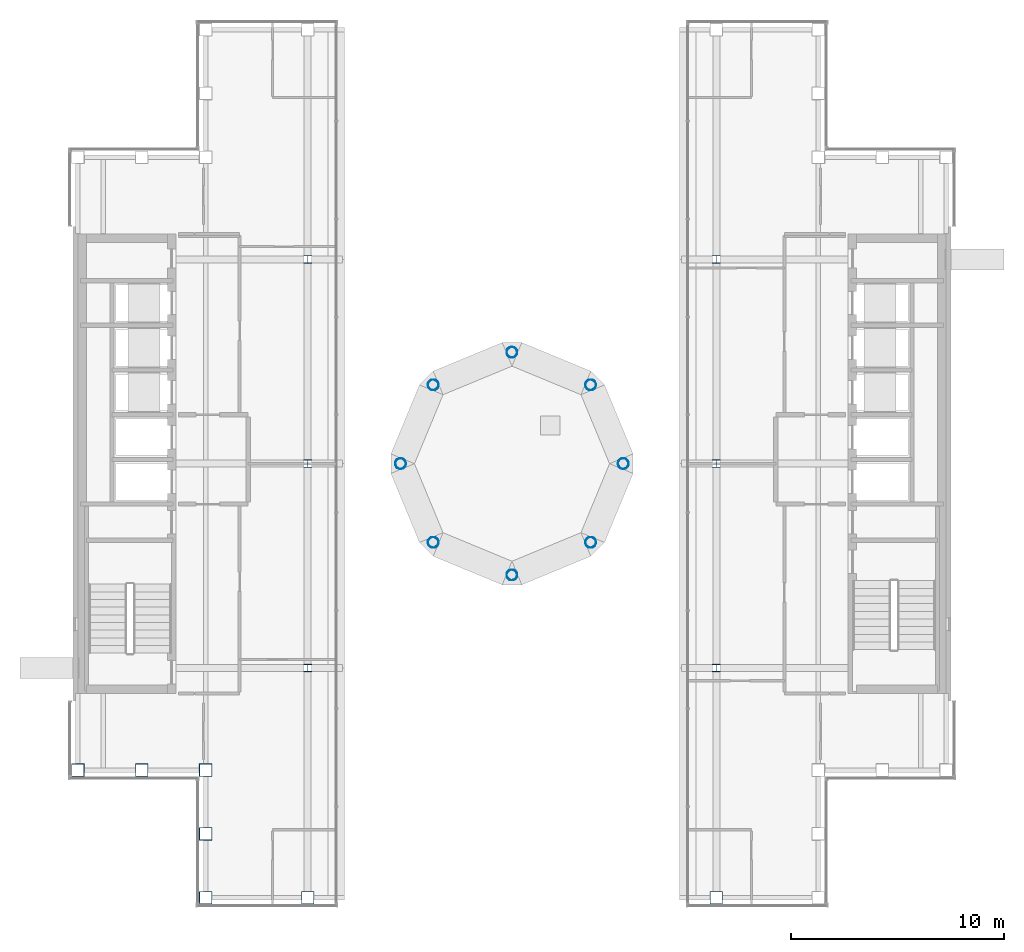
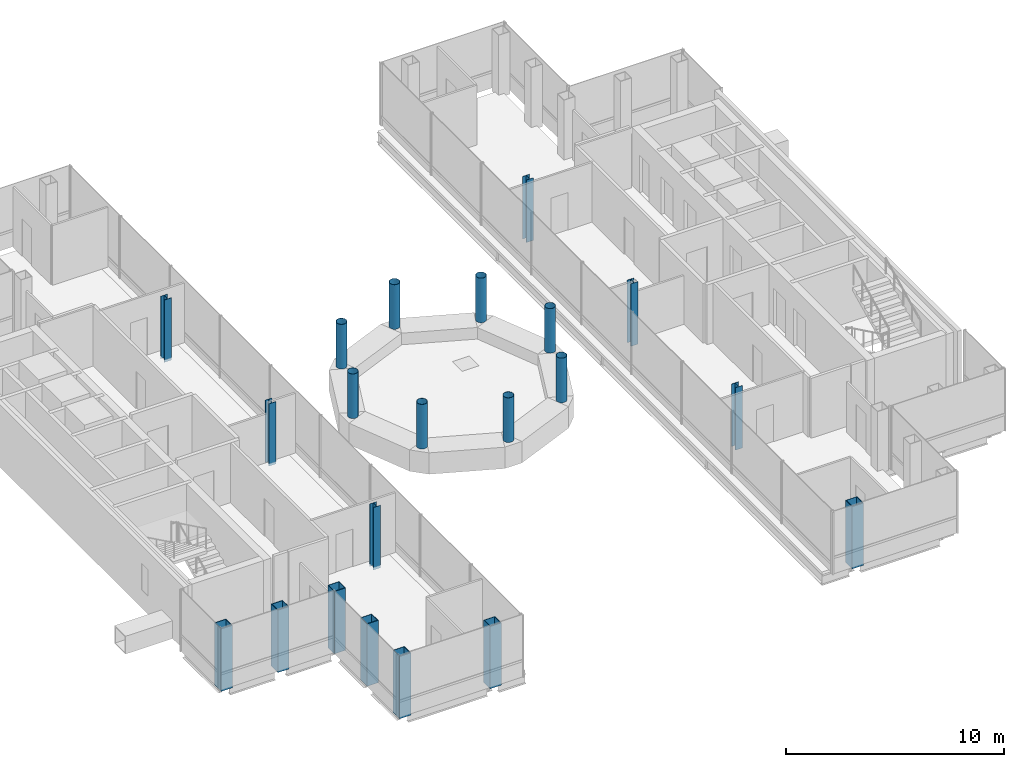
# One storey, part 1 of 16: 21 columns.
"""IFC4 building model written with IfcOpenShell, lengths in metres."""

from ifc_helpers import new_model, si_unit, direction, frame, origin, origin_2d, place, context, subcontext, project, spatial, hollow_rectangle, hollow_circle, i_section, extrude, material, material_profile, profile_set, type_object, element, save


model = new_model("IFC4")

# Units and contexts
model_context = context("Model", 3, precision=1e-05, world=origin(), true_north=direction((0.0, 1.0)))
body_context = subcontext(model_context, "Body", "Model", "MODEL_VIEW")
ifc_project = project(units=[si_unit("LENGTHUNIT", "METRE"), si_unit("AREAUNIT", "SQUARE_METRE"), si_unit("VOLUMEUNIT", "CUBIC_METRE"), si_unit("PLANEANGLEUNIT", "RADIAN"), si_unit("MASSUNIT", "GRAM", prefix="KILO")], contexts=[model_context])

# Site, building, storey
site_placement = place(None, origin())
site = spatial("IfcSite", under=ifc_project, at=site_placement, CompositionType="ELEMENT")
building_placement = place(site_placement, origin())
building = spatial("IfcBuilding", under=site, at=building_placement, Name="Cobrizo Arcos Hotel Tower", CompositionType="ELEMENT")
storey_placement = place(building_placement, frame((0.0, 0.0, 272.5)))
storey = spatial("IfcBuildingStorey", under=building, at=storey_placement, Name="L72", CompositionType="ELEMENT", Elevation=272.5)

# Columns
ifc_material_1 = material(Name="Steel ASTM A572 Grade 50", Category="steel")
ifc_material_profile_1 = material_profile(ifc_material_1, hollow_rectangle(XDim=0.60009765625, YDim=0.60009765625, WallThickness=0.030029296875, at=origin_2d()), Name="BOX 600X600X30")
ifc_profile_set_1 = profile_set([ifc_material_profile_1], Name="Steel ASTM A572 Grade 50")
column_type_1 = type_object("IfcColumnType", Name="BOX 600X600X30 column", PredefinedType="COLUMN", material=ifc_profile_set_1)
for number, where, z_axis, x_axis, name in (
    (1, (-14.39990234375, -20.39990234375, -0.14990234375), (0.0, 0.0, 1.0), (1.0, 0.0, 0.0), "Perimeter column C12, L72, no. 01"),
    (2, (-9.60009765625, -20.39990234375, -0.14990234375), (0.0, 0.0, 1.0), (1.0, 0.0, 0.0), "Perimeter column C12, L72, no. 03"),
    (3, (9.60009765625, -20.39990234375, -0.14990234375), (0.0, 0.0, 1.0), (1.0, 0.0, 0.0), "Perimeter column C12, L72, no. 05"),
    (4, (-20.39990234375, -14.39990234375, -0.14990234375), (0.0, 0.0, 1.0), (1.0, 0.0, 0.0), "Perimeter column C12, L72, no. 09"),
    (5, (-14.39990234375, -14.39990234375, -0.14990234375), (0.0, 0.0, 1.0), (1.0, 0.0, 0.0), "Perimeter column C12, L72, no. 12"),
    (6, (-14.39990234375, -17.39990234375, -0.14990234375), (0.0, 0.0, 1.0), (1.0, 0.0, 0.0), "Perimeter column C12, L72, no. 13"),
    (7, (-17.39990234375, -14.39990234375, -0.14990234375), (0.0, 0.0, 1.0), (1.0, 0.0, 0.0), "Perimeter column C12, L72, no. 14"),
):
    element("IfcColumn", number, at=place(storey_placement, frame(where, z_axis=z_axis, x_axis=x_axis)), inside=storey, type_object=column_type_1, Name=name, PredefinedType="COLUMN", context=body_context, shape_type="SweptSolid", body=[
        extrude(hollow_rectangle(XDim=0.60009765625, YDim=0.60009765625, WallThickness=0.030029296875, at=origin_2d()), origin(), (0.0, 0.0, 1.0), 3.5),
    ])
ifc_material_2 = material(Name="Steel ASTM A500 Grade C", Category="steel")
ifc_material_profile_2 = material_profile(ifc_material_2, hollow_circle(Radius=0.25390625, WallThickness=0.01171875, at=origin_2d()), Name="HSS20.000X0.500")
ifc_profile_set_2 = profile_set([ifc_material_profile_2], Name="Steel ASTM A500 Grade C")
column_type_2 = type_object("IfcColumnType", Name="HSS20.000X0.500 drum column", PredefinedType="COLUMN", material=ifc_profile_set_2)
for number, where, z_axis, x_axis, name in (
    (8, (5.232666015625, 0.0, 1.0), (0.0, 0.0, 1.0), (1.0, 0.0, 0.0), "Drum column DC1, tier 1, line 0, no. 0"),
    (9, (3.699951171875, 3.699951171875, 1.0), (0.0, 0.0, 1.0), (1.0, 0.0, 0.0), "Drum column DC2, tier 1, line 1, no. 0"),
    (10, (0.0, 5.232666015625, 1.0), (0.0, 0.0, 1.0), (1.0, 0.0, 0.0), "Drum column DC3, tier 1, line 2, no. 0"),
    (11, (-3.699951171875, 3.699951171875, 1.0), (0.0, 0.0, 1.0), (1.0, 0.0, 0.0), "Drum column DC4, tier 1, line 3, no. 0"),
    (12, (-5.232666015625, 0.0, 1.0), (0.0, 0.0, 1.0), (1.0, 0.0, 0.0), "Drum column DC5, tier 1, line 4, no. 0"),
    (13, (-3.699951171875, -3.699951171875, 1.0), (0.0, 0.0, 1.0), (1.0, 0.0, 0.0), "Drum column DC6, tier 1, line 5, no. 0"),
    (14, (0.0, -5.232666015625, 1.0), (0.0, 0.0, 1.0), (1.0, 0.0, 0.0), "Drum column DC7, tier 1, line 6, no. 0"),
    (15, (3.699951171875, -3.699951171875, 1.0), (0.0, 0.0, 1.0), (1.0, 0.0, 0.0), "Drum column DC8, tier 1, line 7, no. 0"),
):
    element("IfcColumn", number, at=place(storey_placement, frame(where, z_axis=z_axis, x_axis=x_axis)), inside=storey, type_object=column_type_2, Name=name, PredefinedType="COLUMN", context=body_context, shape_type="SweptSolid", body=[
        extrude(hollow_circle(Radius=0.25390625, WallThickness=0.01171875, at=origin_2d()), origin(), (0.0, 0.0, 1.0), 2.5),
    ])
ifc_material_3 = material(Name="Steel ASTM A992 Grade 50", Category="steel")
ifc_material_profile_3 = material_profile(ifc_material_3, i_section(OverallWidth=0.368408203125, OverallDepth=0.355712890625, WebThickness=0.01123046875, FlangeThickness=0.01806640625, at=origin_2d()), Name="W14X90")
ifc_profile_set_3 = profile_set([ifc_material_profile_3], Name="Steel ASTM A992 Grade 50")
column_type_3 = type_object("IfcColumnType", Name="W14X90 interior column", PredefinedType="COLUMN", material=ifc_profile_set_3)
for number, where, z_axis, x_axis, name in (
    (16, (-9.60009765625, -9.60009765625, -0.14990234375), (0.0, 0.0, 1.0), (1.0, 0.0, 0.0), "Interior column C13, L72, no. 00"),
    (17, (-9.60009765625, 0.0, -0.14990234375), (0.0, 0.0, 1.0), (1.0, 0.0, 0.0), "Interior column C13, L72, no. 01"),
    (18, (-9.60009765625, 9.60009765625, -0.14990234375), (0.0, 0.0, 1.0), (1.0, 0.0, 0.0), "Interior column C13, L72, no. 02"),
    (19, (9.60009765625, -9.60009765625, -0.14990234375), (0.0, 0.0, 1.0), (1.0, 0.0, 0.0), "Interior column C13, L72, no. 03"),
    (20, (9.60009765625, 0.0, -0.14990234375), (0.0, 0.0, 1.0), (1.0, 0.0, 0.0), "Interior column C13, L72, no. 04"),
    (21, (9.60009765625, 9.60009765625, -0.14990234375), (0.0, 0.0, 1.0), (1.0, 0.0, 0.0), "Interior column C13, L72, no. 05"),
):
    element("IfcColumn", number, at=place(storey_placement, frame(where, z_axis=z_axis, x_axis=x_axis)), inside=storey, type_object=column_type_3, Name=name, PredefinedType="COLUMN", context=body_context, shape_type="SweptSolid", body=[
        extrude(i_section(OverallWidth=0.368408203125, OverallDepth=0.355712890625, WebThickness=0.01123046875, FlangeThickness=0.01806640625, at=origin_2d()), origin(), (0.0, 0.0, 1.0), 3.5),
    ])

save(model, "model.ifc")
